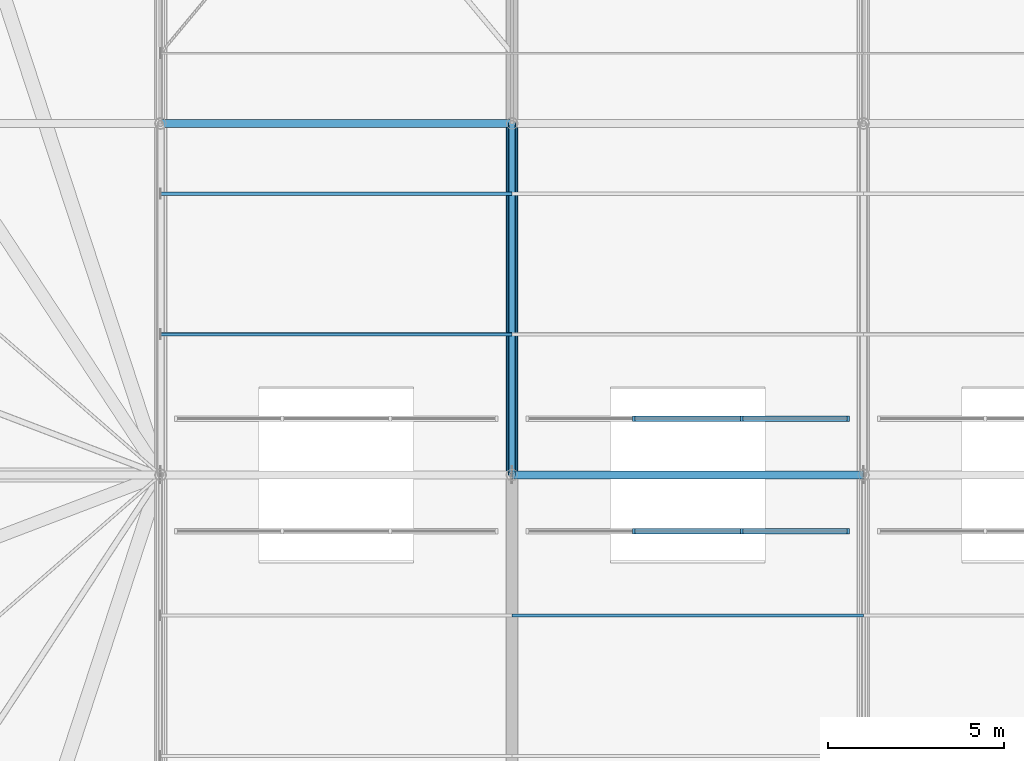
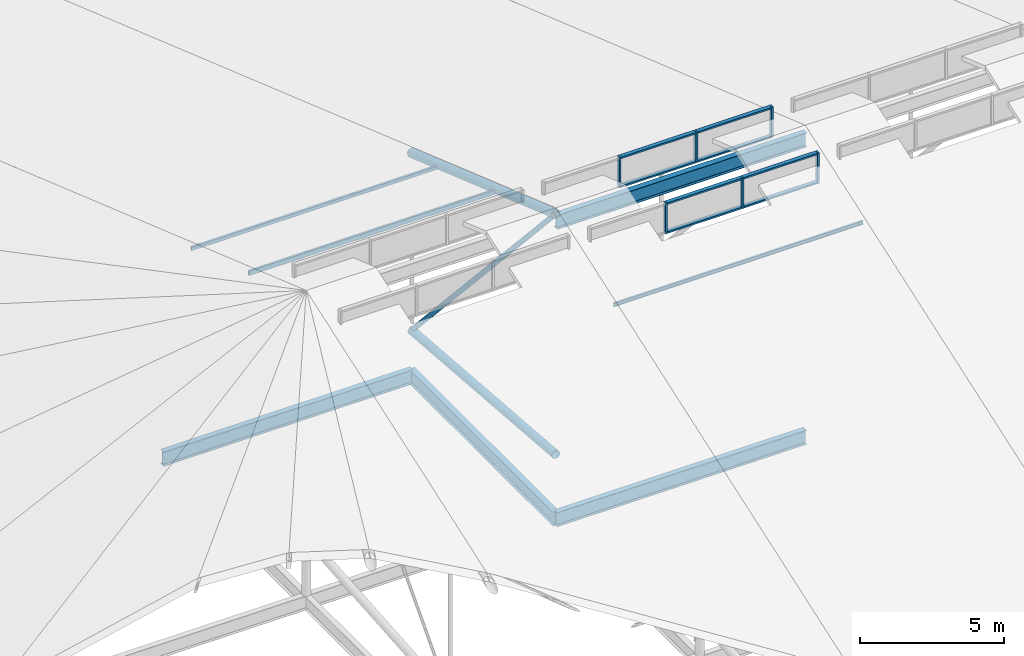
# One storey, part 30 of 93: 20 members, 4 beams, 2 elements without a shape of their own.
"""IFC4 building model written with IfcOpenShell, lengths in metres."""

from ifc_helpers import new_model, si_unit, derived_unit, direction, frame, origin, origin_2d_with_axis, place, context, subcontext, project, spatial, rectangle, hollow_rectangle, hollow_circle, i_section, extrude, material, material_profile, profile_set, type_object, element, aggregate, save


model = new_model("IFC4")

# Units and contexts
model_context = context("Model", 3, precision=1e-05, world=origin(), true_north=direction((0.0, 1.0)))
body_context = subcontext(model_context, "Body", "Model", "MODEL_VIEW")
ifc_project = project(units=[si_unit("LENGTHUNIT", "METRE"), si_unit("AREAUNIT", "SQUARE_METRE"), si_unit("VOLUMEUNIT", "CUBIC_METRE"), si_unit("PLANEANGLEUNIT", "RADIAN"), si_unit("MASSUNIT", "GRAM", prefix="KILO"), derived_unit("THERMALTRANSMITTANCEUNIT", [(si_unit("POWERUNIT", "WATT"), 1), (si_unit("LENGTHUNIT", "METRE"), -2), (si_unit("THERMODYNAMICTEMPERATUREUNIT", "KELVIN"), -1)])], contexts=[model_context])

# Site, building, storey
site_placement = place(None, origin())
site = spatial("IfcSite", under=ifc_project, at=site_placement, CompositionType="ELEMENT")
building_placement = place(site_placement, origin())
building = spatial("IfcBuilding", under=site, at=building_placement, Name="Cinnabar Yard Market Hall", CompositionType="ELEMENT")
storey_placement = place(building_placement, frame((0.0, 0.0, 23.800048828125)))
storey = spatial("IfcBuildingStorey", under=building, at=storey_placement, Name="ROOF", CompositionType="ELEMENT", Elevation=23.800048828125)

# Beams
ifc_material_1 = material(Name="Steel Grade 300 (300 MPa)", Category="steel")
ifc_material_profile_1 = material_profile(ifc_material_1, i_section(OverallWidth=0.22802734375, OverallDepth=0.60205078125, WebThickness=0.010498046875, FlangeThickness=0.014892578125, FilletRadius=0.013916015625, at=origin_2d_with_axis()), Name="610UB101")
ifc_profile_set_1 = profile_set([ifc_material_profile_1], Name="Steel Grade 300 (300 MPa)")
beam_type = type_object("IfcBeamType", Name="BM-B02", PredefinedType="BEAM", material=ifc_profile_set_1)
for number, where, z_axis, x_axis, name in (
    (1, (96.0, 44.0, -9.700927734375), (1.0, 0.0, 0.0), (0.0, 1.0, 0.0), "Hall Longitudinal Tie Girder 00390"),
    (2, (86.0, 54.0, -9.700927734375), (1.0, 0.0, 0.0), (0.0, 1.0, 0.0), "Hall Longitudinal Tie Girder 00397"),
    (3, (96.0, 44.0, -9.700927734375), (0.0, 1.0, 0.0), (-1.0, 0.0, 0.0), "Hall Transverse Tie Girder 00422"),
    (4, (96.0, 44.0, 2.89892578125), (1.0, 0.0, 0.0), (0.0, 1.0, 0.0), "Market Hall Ridge Girder 01593"),
):
    element("IfcBeam", number, at=place(storey_placement, frame(where, z_axis=z_axis, x_axis=x_axis)), inside=storey, type_object=beam_type, Name=name, PredefinedType="BEAM", context=body_context, shape_type="SweptSolid", body=[
        extrude(i_section(OverallWidth=0.22802734375, OverallDepth=0.60205078125, WebThickness=0.010498046875, FlangeThickness=0.014892578125, FilletRadius=0.013916015625, at=origin_2d_with_axis()), origin(), (0.0, 0.0, 1.0), 10.0),
    ])

# Curtain wall, members
ifc_material_2 = material(Name="Anodised aluminium ridge clerestory", Category="aluminium")
curtain_wall_type = type_object("IfcCurtainWallType", Name="CW-CWR092x13", PredefinedType="NOTDEFINED", material=ifc_material_2)
curtain_wall_1_placement = place(storey_placement, origin())
curtain_wall_1 = element("IfcCurtainWall", 5, at=curtain_wall_1_placement, inside=storey, type_object=curtain_wall_type, Name="South Ridge Clerestory 2", PredefinedType="NOTDEFINED")
ifc_material_3 = material(Name="Anodised bronze aluminium", Category="aluminium")
ifc_material_profile_2 = material_profile(ifc_material_3, rectangle(XDim=0.159912109375, YDim=0.070068359375, at=origin_2d_with_axis()), Name="MUL-CWR")
ifc_profile_set_2 = profile_set([ifc_material_profile_2], Name="Anodised bronze aluminium")
member_type_1 = type_object("IfcMemberType", Name="CWM-CWR", PredefinedType="MULLION", material=ifc_profile_set_2)
member_1_placement = place(storey_placement, frame((99.466552734375, 42.39990234375, 2.14990234375), z_axis=(0.0, 0.0, 1.0), x_axis=(0.0, 1.0, 0.0)))
member_1 = element("IfcMember", 6, at=member_1_placement, type_object=member_type_1, Name="CWR092x13 mullion 2", PredefinedType="MULLION", context=body_context, shape_type="SweptSolid", body=[
    extrude(rectangle(XDim=0.159912109375, YDim=0.070068359375, at=origin_2d_with_axis()), origin(), (0.0, 0.0, 1.0), 1.300048828125),
])
member_2_placement = place(storey_placement, frame((102.533447265625, 42.39990234375, 2.14990234375), z_axis=(0.0, 0.0, 1.0), x_axis=(0.0, 1.0, 0.0)))
member_2 = element("IfcMember", 7, at=member_2_placement, type_object=member_type_1, Name="CWR092x13 mullion 3", PredefinedType="MULLION", context=body_context, shape_type="SweptSolid", body=[
    extrude(rectangle(XDim=0.159912109375, YDim=0.070068359375, at=origin_2d_with_axis()), origin(), (0.0, 0.0, 1.0), 1.300048828125),
])
member_3_placement = place(storey_placement, frame((105.56494140625, 42.39990234375, 2.14990234375), z_axis=(0.0, 0.0, 1.0), x_axis=(0.0, 1.0, 0.0)))
member_3 = element("IfcMember", 8, at=member_3_placement, type_object=member_type_1, Name="CWR092x13 mullion 4", PredefinedType="MULLION", context=body_context, shape_type="SweptSolid", body=[
    extrude(rectangle(XDim=0.159912109375, YDim=0.070068359375, at=origin_2d_with_axis()), origin(), (0.0, 0.0, 1.0), 1.300048828125),
])

curtain_wall_2_placement = place(storey_placement, origin())
curtain_wall_2 = element("IfcCurtainWall", 9, at=curtain_wall_2_placement, inside=storey, type_object=curtain_wall_type, Name="North Ridge Clerestory 2", PredefinedType="NOTDEFINED")
member_4_placement = place(storey_placement, frame((105.56494140625, 45.60009765625, 2.14990234375), z_axis=(0.0, 0.0, 1.0), x_axis=(0.0, -1.0, 0.0)))
member_4 = element("IfcMember", 10, at=member_4_placement, type_object=member_type_1, Name="CWR092x13 mullion 1", PredefinedType="MULLION", context=body_context, shape_type="SweptSolid", body=[
    extrude(rectangle(XDim=0.159912109375, YDim=0.070068359375, at=origin_2d_with_axis()), origin(), (0.0, 0.0, 1.0), 1.300048828125),
])
member_5_placement = place(storey_placement, frame((102.533447265625, 45.60009765625, 2.14990234375), z_axis=(0.0, 0.0, 1.0), x_axis=(0.0, -1.0, 0.0)))
member_5 = element("IfcMember", 11, at=member_5_placement, type_object=member_type_1, Name="CWR092x13 mullion 2", PredefinedType="MULLION", context=body_context, shape_type="SweptSolid", body=[
    extrude(rectangle(XDim=0.159912109375, YDim=0.070068359375, at=origin_2d_with_axis()), origin(), (0.0, 0.0, 1.0), 1.300048828125),
])
member_6_placement = place(storey_placement, frame((99.466552734375, 45.60009765625, 2.14990234375), z_axis=(0.0, 0.0, 1.0), x_axis=(0.0, -1.0, 0.0)))
member_6 = element("IfcMember", 12, at=member_6_placement, type_object=member_type_1, Name="CWR092x13 mullion 3", PredefinedType="MULLION", context=body_context, shape_type="SweptSolid", body=[
    extrude(rectangle(XDim=0.159912109375, YDim=0.070068359375, at=origin_2d_with_axis()), origin(), (0.0, 0.0, 1.0), 1.300048828125),
])

# Member
ifc_material_profile_3 = material_profile(ifc_material_3, rectangle(XDim=0.159912109375, YDim=0.070068359375, at=origin_2d_with_axis()), Name="TRN-CWR")
ifc_profile_set_3 = profile_set([ifc_material_profile_3], Name="Anodised bronze aluminium")
member_type_2 = type_object("IfcMemberType", Name="CWT-CWR", PredefinedType="USERDEFINED", material=ifc_profile_set_3)
member_7_placement = place(storey_placement, frame((99.501708984375, 42.39990234375, 2.18505859375), z_axis=(1.0, 0.0, 0.0), x_axis=(0.0, 1.0, 0.0)))
member_7 = element("IfcMember", 13, at=member_7_placement, type_object=member_type_2, Name="CWR092x13 transom 2.1", ObjectType="TRANSOM", PredefinedType="USERDEFINED", context=body_context, shape_type="SweptSolid", body=[
    extrude(rectangle(XDim=0.159912109375, YDim=0.070068359375, at=origin_2d_with_axis()), origin(), (0.0, 0.0, 1.0), 2.99658203125),
])

member_8_placement = place(storey_placement, frame((99.501708984375, 42.39990234375, 3.4150390625), z_axis=(1.0, 0.0, 0.0), x_axis=(0.0, 1.0, 0.0)))
member_8 = element("IfcMember", 14, at=member_8_placement, type_object=member_type_2, Name="CWR092x13 transom 2.2", ObjectType="TRANSOM", PredefinedType="USERDEFINED", context=body_context, shape_type="SweptSolid", body=[
    extrude(rectangle(XDim=0.159912109375, YDim=0.070068359375, at=origin_2d_with_axis()), origin(), (0.0, 0.0, 1.0), 2.99658203125),
])

member_9_placement = place(storey_placement, frame((102.568359375, 42.39990234375, 2.18505859375), z_axis=(1.0, 0.0, 0.0), x_axis=(0.0, 1.0, 0.0)))
member_9 = element("IfcMember", 15, at=member_9_placement, type_object=member_type_2, Name="CWR092x13 transom 3.1", ObjectType="TRANSOM", PredefinedType="USERDEFINED", context=body_context, shape_type="SweptSolid", body=[
    extrude(rectangle(XDim=0.159912109375, YDim=0.070068359375, at=origin_2d_with_axis()), origin(), (0.0, 0.0, 1.0), 2.961669921875),
])

member_10_placement = place(storey_placement, frame((102.568359375, 42.39990234375, 3.4150390625), z_axis=(1.0, 0.0, 0.0), x_axis=(0.0, 1.0, 0.0)))
member_10 = element("IfcMember", 16, at=member_10_placement, type_object=member_type_2, Name="CWR092x13 transom 3.2", ObjectType="TRANSOM", PredefinedType="USERDEFINED", context=body_context, shape_type="SweptSolid", body=[
    extrude(rectangle(XDim=0.159912109375, YDim=0.070068359375, at=origin_2d_with_axis()), origin(), (0.0, 0.0, 1.0), 2.961669921875),
])

aggregate(curtain_wall_1, [member_1, member_2, member_3, member_7, member_8, member_9, member_10])

member_11_placement = place(storey_placement, frame((105.530029296875, 45.60009765625, 2.18505859375), z_axis=(-1.0, 0.0, 0.0), x_axis=(0.0, -1.0, 0.0)))
member_11 = element("IfcMember", 17, at=member_11_placement, type_object=member_type_2, Name="CWR092x13 transom 1.1", ObjectType="TRANSOM", PredefinedType="USERDEFINED", context=body_context, shape_type="SweptSolid", body=[
    extrude(rectangle(XDim=0.159912109375, YDim=0.070068359375, at=origin_2d_with_axis()), origin(), (0.0, 0.0, 1.0), 2.961669921875),
])

member_12_placement = place(storey_placement, frame((105.530029296875, 45.60009765625, 3.4150390625), z_axis=(-1.0, 0.0, 0.0), x_axis=(0.0, -1.0, 0.0)))
member_12 = element("IfcMember", 18, at=member_12_placement, type_object=member_type_2, Name="CWR092x13 transom 1.2", ObjectType="TRANSOM", PredefinedType="USERDEFINED", context=body_context, shape_type="SweptSolid", body=[
    extrude(rectangle(XDim=0.159912109375, YDim=0.070068359375, at=origin_2d_with_axis()), origin(), (0.0, 0.0, 1.0), 2.961669921875),
])

member_13_placement = place(storey_placement, frame((102.498291015625, 45.60009765625, 2.18505859375), z_axis=(-1.0, 0.0, 0.0), x_axis=(0.0, -1.0, 0.0)))
member_13 = element("IfcMember", 19, at=member_13_placement, type_object=member_type_2, Name="CWR092x13 transom 2.1", ObjectType="TRANSOM", PredefinedType="USERDEFINED", context=body_context, shape_type="SweptSolid", body=[
    extrude(rectangle(XDim=0.159912109375, YDim=0.070068359375, at=origin_2d_with_axis()), origin(), (0.0, 0.0, 1.0), 2.99658203125),
])

member_14_placement = place(storey_placement, frame((102.498291015625, 45.60009765625, 3.4150390625), z_axis=(-1.0, 0.0, 0.0), x_axis=(0.0, -1.0, 0.0)))
member_14 = element("IfcMember", 20, at=member_14_placement, type_object=member_type_2, Name="CWR092x13 transom 2.2", ObjectType="TRANSOM", PredefinedType="USERDEFINED", context=body_context, shape_type="SweptSolid", body=[
    extrude(rectangle(XDim=0.159912109375, YDim=0.070068359375, at=origin_2d_with_axis()), origin(), (0.0, 0.0, 1.0), 2.99658203125),
])

aggregate(curtain_wall_2, [member_4, member_5, member_6, member_11, member_12, member_13, member_14])

# Members
ifc_material_4 = material(Name="Cold-formed steel C350L0", Category="steel")
ifc_material_profile_4 = material_profile(ifc_material_4, hollow_circle(Radius=0.161865234375, WallThickness=0.009521484375, at=origin_2d_with_axis()), Name="323.9x9.5CHS")
ifc_profile_set_4 = profile_set([ifc_material_profile_4], Name="Cold-formed steel C350L0")
member_type_3 = type_object("IfcMemberType", Name="MB-BC01", PredefinedType="CHORD", material=ifc_profile_set_4)
member_15_placement = place(storey_placement, frame((96.0, 44.0, -7.0), z_axis=(0.0, 0.99681489162, -0.07975005859), x_axis=(-1.0, 0.0, 0.0)))
element("IfcMember", 21, at=member_15_placement, inside=storey, type_object=member_type_3, Name="Hall Truss 96 Bottom Chord 4", PredefinedType="CHORD", context=body_context, shape_type="SweptSolid", body=[
    extrude(hollow_circle(Radius=0.161865234375, WallThickness=0.009521484375, at=origin_2d_with_axis()), origin(), (0.0, 0.0, 1.0), 10.031982421875),
])
ifc_material_profile_5 = material_profile(ifc_material_4, hollow_circle(Radius=0.096923828125, WallThickness=0.00634765625, at=origin_2d_with_axis()), Name="193.7x6.4CHS")
ifc_profile_set_5 = profile_set([ifc_material_profile_5], Name="Cold-formed steel C350L0")
member_type_4 = type_object("IfcMemberType", Name="MB-DG04", PredefinedType="BRACE", material=ifc_profile_set_5)
member_16_placement = place(storey_placement, frame((96.0, 44.0, 3.199951171875), z_axis=(0.0, 0.672672793996, -0.739940073396), x_axis=(-1.0, 0.0, 0.0)))
element("IfcMember", 22, at=member_16_placement, inside=storey, type_object=member_type_4, Name="Hall Truss 96 Diagonal 4", PredefinedType="BRACE", context=body_context, shape_type="SweptSolid", body=[
    extrude(hollow_circle(Radius=0.096923828125, WallThickness=0.00634765625, at=origin_2d_with_axis()), origin(), (0.0, 0.0, 1.0), 14.865966796875),
])
ifc_material_profile_6 = material_profile(ifc_material_1, i_section(OverallWidth=0.074951171875, OverallDepth=0.14990234375, WebThickness=0.0048828125, FlangeThickness=0.007080078125, FilletRadius=0.008056640625, at=origin_2d_with_axis()), Name="150UB14.0")
ifc_profile_set_6 = profile_set([ifc_material_profile_6], Name="Steel Grade 300 (300 MPa)")
member_type_5 = type_object("IfcMemberType", Name="MB-PU07", PredefinedType="PURLIN", material=ifc_profile_set_6)
member_17_placement = place(storey_placement, frame((96.0, 40.0, 1.767578125), z_axis=(1.0, 0.0, 0.0), x_axis=(0.0, 1.0, 0.0)))
element("IfcMember", 23, at=member_17_placement, inside=storey, type_object=member_type_5, Name="Hall Roof Purlin Y40 X96", PredefinedType="PURLIN", context=body_context, shape_type="SweptSolid", body=[
    extrude(i_section(OverallWidth=0.074951171875, OverallDepth=0.14990234375, WebThickness=0.0048828125, FlangeThickness=0.007080078125, FilletRadius=0.008056640625, at=origin_2d_with_axis()), origin(), (0.0, 0.0, 1.0), 10.0),
])
ifc_material_profile_7 = material_profile(ifc_material_4, hollow_rectangle(XDim=0.10009765625, YDim=0.199951171875, WallThickness=0.008056640625, InnerFilletRadius=0.008056640625, OuterFilletRadius=0.01611328125, at=origin_2d_with_axis()), Name="200x100x8.0RHS")
ifc_profile_set_7 = profile_set([ifc_material_profile_7], Name="Cold-formed steel C350L0")
member_type_6 = type_object("IfcMemberType", Name="MB-PU08", PredefinedType="PURLIN", material=ifc_profile_set_7)
member_18_placement = place(storey_placement, frame((86.0, 48.0, 1.767578125), z_axis=(1.0, 0.0, 0.0), x_axis=(0.0, 1.0, 0.0)))
element("IfcMember", 24, at=member_18_placement, inside=storey, type_object=member_type_6, Name="Hall Roof Purlin Y48 X86", PredefinedType="PURLIN", context=body_context, shape_type="SweptSolid", body=[
    extrude(hollow_rectangle(XDim=0.10009765625, YDim=0.199951171875, WallThickness=0.008056640625, InnerFilletRadius=0.008056640625, OuterFilletRadius=0.01611328125, at=origin_2d_with_axis()), origin(), (0.0, 0.0, 1.0), 10.0),
])
ifc_material_profile_8 = material_profile(ifc_material_4, hollow_rectangle(XDim=0.10009765625, YDim=0.14990234375, WallThickness=0.006103515625, InnerFilletRadius=0.006103515625, OuterFilletRadius=0.011962890625, at=origin_2d_with_axis()), Name="150x100x6.0RHS")
ifc_profile_set_8 = profile_set([ifc_material_profile_8], Name="Cold-formed steel C350L0")
member_type_7 = type_object("IfcMemberType", Name="MB-PU09", PredefinedType="PURLIN", material=ifc_profile_set_8)
member_19_placement = place(storey_placement, frame((86.0, 52.0, 0.37548828125), z_axis=(1.0, 0.0, 0.0), x_axis=(0.0, 1.0, 0.0)))
element("IfcMember", 25, at=member_19_placement, inside=storey, type_object=member_type_7, Name="Hall Roof Purlin Y52 X86", PredefinedType="PURLIN", context=body_context, shape_type="SweptSolid", body=[
    extrude(hollow_rectangle(XDim=0.10009765625, YDim=0.14990234375, WallThickness=0.006103515625, InnerFilletRadius=0.006103515625, OuterFilletRadius=0.011962890625, at=origin_2d_with_axis()), origin(), (0.0, 0.0, 1.0), 10.0),
])
ifc_material_profile_9 = material_profile(ifc_material_4, hollow_circle(Radius=0.177734375, WallThickness=0.0126953125, at=origin_2d_with_axis()), Name="355.6x12.7CHS")
ifc_profile_set_9 = profile_set([ifc_material_profile_9], Name="Cold-formed steel C350L0")
member_type_8 = type_object("IfcMemberType", Name="MB-TC01", PredefinedType="CHORD", material=ifc_profile_set_9)
member_20_placement = place(storey_placement, frame((96.0, 44.0, 3.199951171875), z_axis=(0.0, 0.944424919483, -0.328727199147), x_axis=(-1.0, 0.0, 0.0)))
element("IfcMember", 26, at=member_20_placement, inside=storey, type_object=member_type_8, Name="Hall Truss 96 Top Chord 4", PredefinedType="CHORD", context=body_context, shape_type="SweptSolid", body=[
    extrude(hollow_circle(Radius=0.177734375, WallThickness=0.0126953125, at=origin_2d_with_axis()), origin(), (0.0, 0.0, 1.0), 10.58837890625),
])

save(model, "model.ifc")
